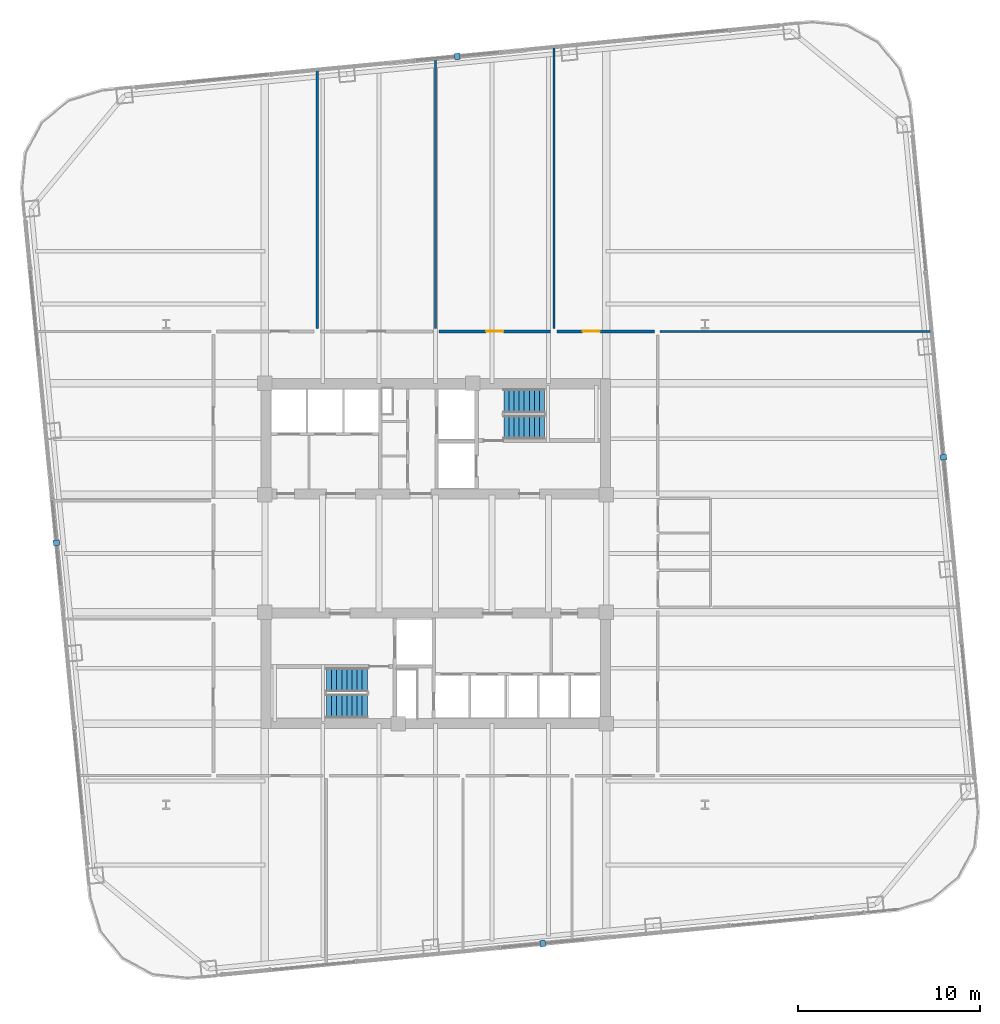
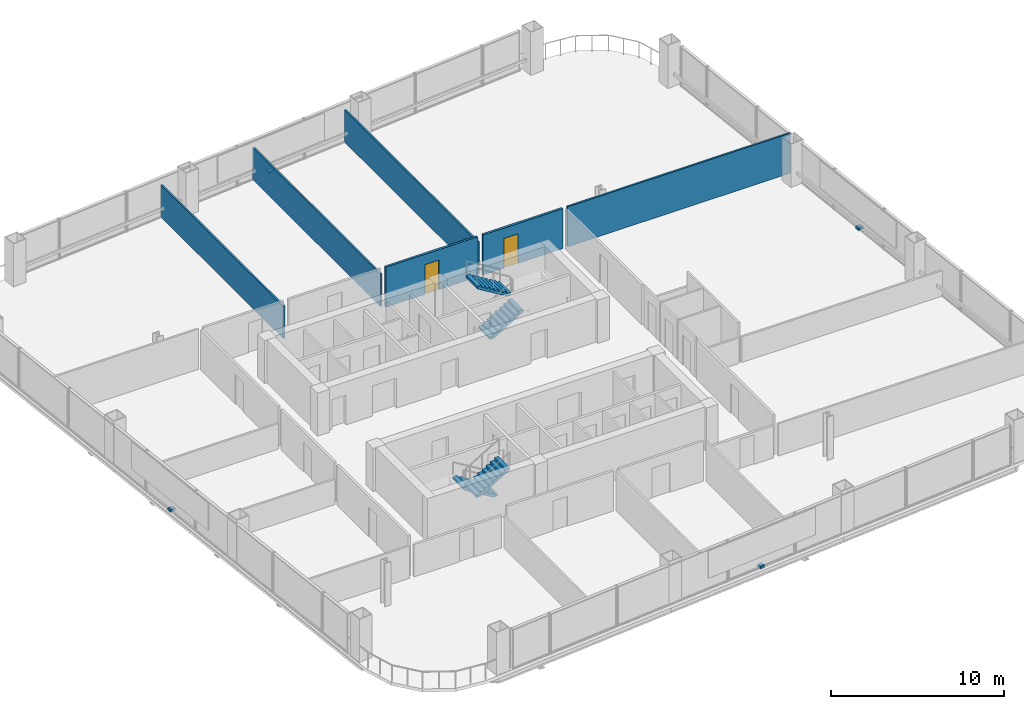
# One storey, part 29 of 32: 6 walls, 4 discrete accessories, 4 stair flights, 2 doors, 2 openings, 2 elements without a shape of their own.
"""IFC4 building model written with IfcOpenShell, lengths in metres."""

from ifc_helpers import new_model, si_unit, direction, frame, frame_2d, origin, origin_2d, place, context, subcontext, project, spatial, polyline, rectangle, outline, extrude, material, layer, layer_set, type_object, element, fill, aggregate, save


model = new_model("IFC4")

# Units and contexts
model_context = context("Model", 3, precision=1e-05, world=origin(), true_north=direction((0.0, 1.0)))
body_context = subcontext(model_context, "Body", "Model", "MODEL_VIEW")
ifc_project = project(units=[si_unit("LENGTHUNIT", "METRE"), si_unit("AREAUNIT", "SQUARE_METRE"), si_unit("VOLUMEUNIT", "CUBIC_METRE"), si_unit("PLANEANGLEUNIT", "RADIAN"), si_unit("MASSUNIT", "GRAM", prefix="KILO")], contexts=[model_context])

# Site, building, storey
site_placement = place(None, origin())
site = spatial("IfcSite", under=ifc_project, at=site_placement, CompositionType="ELEMENT")
building_placement = place(site_placement, origin())
building = spatial("IfcBuilding", under=site, at=building_placement, Name="Qhalaya Broadcast Tower", CompositionType="ELEMENT")
storey_placement = place(building_placement, frame((0.0, 0.0, 87.75)))
storey = spatial("IfcBuildingStorey", under=building, at=storey_placement, Name="L25", CompositionType="ELEMENT", Elevation=87.75)

# Wall, opening, door
ifc_material_1 = material(Name="Gypsum Acoustic Partition")
ifc_layer_1 = layer(ifc_material_1, 0.14990234375, Name="Gypsum Acoustic Partition")
ifc_layer_set_1 = layer_set([ifc_layer_1], Name="Gypsum Acoustic Partition")
wall_type_1 = type_object("IfcWallType", Name="Corridor & Tenancy Acoustic Partition 150", PredefinedType="PARTITIONING", material=ifc_layer_set_1)
wall_1_placement = place(storey_placement, frame((0.179931640625, 12.800048828125, 0.0), z_axis=(0.0, 0.0, 1.0), x_axis=(1.0, 0.0, 0.0)))
wall_1 = element("IfcWall", 1, at=wall_1_placement, inside=storey, type_object=wall_type_1, Name="L25 Partition Wall W-COR-03", PredefinedType="PARTITIONING", context=body_context, shape_type="SweptSolid", body=[
    extrude(rectangle(XDim=6.14013671875, YDim=0.14990234375, at=frame_2d((3.070068359375, 0.0))), origin(), (0.0, 0.0, 1.0), 2.830078125),
])
opening_1_placement = place(wall_1_placement, frame((2.594970703125, 0.0, 0.0)))
opening_1 = element("IfcOpeningElement", 2, at=opening_1_placement, cuts=wall_1, Name="Opening D10", PredefinedType="OPENING", context=body_context, shape_type="SweptSolid", body=[
    extrude(rectangle(XDim=0.949951171875, YDim=2.10009765625, at=frame_2d((0.47509765625, 1.050048828125))), frame((0.0, 0.0869140625, 0.0), z_axis=(0.0, -1.0, 0.0), x_axis=(1.0, 0.0, 0.0)), (0.0, 0.0, 1.0), 0.173828125),
])
ifc_material_2 = material(Name="Timber Veneer Acoustic Door", Category="wood")
door_type = type_object("IfcDoorType", Name="Cellular Office & Edit Booth Door D10", OperationType="NOTDEFINED", PredefinedType="DOOR", material=ifc_material_2)
door_1_placement = place(opening_1_placement, origin())
door_1 = element("IfcDoor", 3, at=door_1_placement, inside=storey, type_object=door_type, Name="L25 Door D-RM03", OperationType="SINGLE_SWING_LEFT", OverallHeight=2.10009765625, OverallWidth=0.949951171875, PredefinedType="DOOR", context=body_context, shape_type="SweptSolid", body=[
    extrude(rectangle(XDim=0.949951171875, YDim=2.10009765625, at=frame_2d((0.47509765625, 1.050048828125))), frame((0.0, 0.02490234375, 0.0), z_axis=(0.0, -1.0, 0.0), x_axis=(1.0, 0.0, 0.0)), (0.0, 0.0, 1.0), 0.050048828125),
])
fill(opening_1, door_1)

wall_2_placement = place(storey_placement, frame((6.679931640625, 12.800048828125, 0.0), z_axis=(0.0, 0.0, 1.0), x_axis=(1.0, 0.0, 0.0)))
wall_2 = element("IfcWall", 4, at=wall_2_placement, inside=storey, type_object=wall_type_1, Name="L25 Partition Wall W-COR-04", PredefinedType="PARTITIONING", context=body_context, shape_type="SweptSolid", body=[
    extrude(rectangle(XDim=5.340087890625, YDim=0.14990234375, at=frame_2d((2.669921875, 0.0))), origin(), (0.0, 0.0, 1.0), 2.830078125),
])
opening_2_placement = place(wall_2_placement, frame((1.39501953125, 0.0, 0.0)))
opening_2 = element("IfcOpeningElement", 5, at=opening_2_placement, cuts=wall_2, Name="Opening D10", PredefinedType="OPENING", context=body_context, shape_type="SweptSolid", body=[
    extrude(rectangle(XDim=0.949951171875, YDim=2.10009765625, at=frame_2d((0.47509765625, 1.050048828125))), frame((0.0, 0.0869140625, 0.0), z_axis=(0.0, -1.0, 0.0), x_axis=(1.0, 0.0, 0.0)), (0.0, 0.0, 1.0), 0.173828125),
])
door_2_placement = place(opening_2_placement, origin())
door_2 = element("IfcDoor", 6, at=door_2_placement, inside=storey, type_object=door_type, Name="L25 Door D-RM04", OperationType="SINGLE_SWING_RIGHT", OverallHeight=2.10009765625, OverallWidth=0.949951171875, PredefinedType="DOOR", context=body_context, shape_type="SweptSolid", body=[
    extrude(rectangle(XDim=0.949951171875, YDim=2.10009765625, at=frame_2d((0.47509765625, 1.050048828125))), frame((0.0, 0.02490234375, 0.0), z_axis=(0.0, -1.0, 0.0), x_axis=(1.0, 0.0, 0.0)), (0.0, 0.0, 1.0), 0.050048828125),
])
fill(opening_2, door_2)

# Walls
ifc_layer_2 = layer(ifc_material_1, 0.1201171875, Name="Gypsum Acoustic Partition")
ifc_layer_set_2 = layer_set([ifc_layer_2], Name="Gypsum Acoustic Partition")
wall_type_2 = type_object("IfcWallType", Name="Office, Booth & Sanitary Partition 120", PredefinedType="PARTITIONING", material=ifc_layer_set_2)
wall_3_placement = place(storey_placement, frame((12.340087890625, 12.800048828125, 0.0), z_axis=(0.0, 0.0, 1.0), x_axis=(1.0, 0.0, 0.0)))
element("IfcWall", 7, at=wall_3_placement, inside=storey, type_object=wall_type_2, Name="L25 Partition Wall W-BNDE1", PredefinedType="PARTITIONING", context=body_context, shape_type="SweptSolid", body=[
    extrude(rectangle(XDim=14.901611328125, YDim=0.1201171875, at=frame_2d((7.45068359375, 0.0))), origin(), (0.0, 0.0, 1.0), 2.830078125),
])
wall_4_placement = place(storey_placement, frame((-6.5, 12.9599609375, 0.0), z_axis=(0.0, 0.0, 1.0), x_axis=(0.0, 1.0, 0.0)))
element("IfcWall", 8, at=wall_4_placement, inside=storey, type_object=wall_type_2, Name="L25 Partition Wall W-DIVN1", PredefinedType="PARTITIONING", context=body_context, shape_type="SweptSolid", body=[
    extrude(rectangle(XDim=14.20654296875, YDim=0.1201171875, at=frame_2d((7.103271484375, 0.0))), origin(), (0.0, 0.0, 1.0), 2.27392578125),
])
wall_5_placement = place(storey_placement, frame((0.0, 12.9599609375, 0.0), z_axis=(0.0, 0.0, 1.0), x_axis=(0.0, 1.0, 0.0)))
element("IfcWall", 9, at=wall_5_placement, inside=storey, type_object=wall_type_2, Name="L25 Partition Wall W-DIVN2", PredefinedType="PARTITIONING", context=body_context, shape_type="SweptSolid", body=[
    extrude(rectangle(XDim=14.83251953125, YDim=0.1201171875, at=frame_2d((7.416259765625, 0.0))), origin(), (0.0, 0.0, 1.0), 2.27392578125),
])
wall_6_placement = place(storey_placement, frame((6.5, 12.9599609375, 0.0), z_axis=(0.0, 0.0, 1.0), x_axis=(0.0, 1.0, 0.0)))
element("IfcWall", 10, at=wall_6_placement, inside=storey, type_object=wall_type_2, Name="L25 Partition Wall W-DIVN3", PredefinedType="PARTITIONING", context=body_context, shape_type="SweptSolid", body=[
    extrude(rectangle(XDim=15.458251953125, YDim=0.1201171875, at=frame_2d((7.72900390625, 0.0))), origin(), (0.0, 0.0, 1.0), 2.27392578125),
])

# Stair, stair flights
ifc_material_3 = material(Name="Concrete C40/50", Category="concrete")
stair_type = type_object("IfcStairType", Name="Protected Dogleg Core Stair 3150", PredefinedType="TWO_STRAIGHT_RUN_STAIR", material=ifc_material_3)
stair_1_placement = place(storey_placement, origin())
stair_1 = element("IfcStair", 11, at=stair_1_placement, inside=storey, type_object=stair_type, Name="L25 North Core Exit Stair ST-1", PredefinedType="TWO_STRAIGHT_RUN_STAIR")
ifc_material_4 = material(Name="Precast Concrete C40/50", Category="concrete")
stair_flight_type = type_object("IfcStairFlightType", Name="Precast Concrete Stair Flight 3150", PredefinedType="STRAIGHT", material=ifc_material_4)
stair_flight_1_placement = place(storey_placement, frame((3.75, 7.5400390625, 0.0), z_axis=(0.0, 0.0, 1.0), x_axis=(1.0, 0.0, 0.0)))
stair_flight_1 = element("IfcStairFlight", 12, at=stair_flight_1_placement, type_object=stair_flight_type, Name="ST-1 flight 1", NumberOfRisers=9, NumberOfTreads=8, PredefinedType="STRAIGHT", RiserHeight=0.169444444, TreadLength=0.28, context=body_context, shape_type="SweptSolid", body=[
    extrude(outline(polyline([(0.0, 0.0), (0.0, 0.16943359375), (0.280029296875, 0.16943359375), (0.280029296875, 0.3388671875), (0.56005859375, 0.3388671875), (0.56005859375, 0.50830078125), (0.840087890625, 0.50830078125), (0.840087890625, 0.677734375), (1.1201171875, 0.677734375), (1.1201171875, 0.84716796875), (1.39990234375, 0.84716796875), (1.39990234375, 1.0166015625), (1.679931640625, 1.0166015625), (1.679931640625, 1.18603515625), (1.9599609375, 1.18603515625), (1.9599609375, 1.35546875), (2.239990234375, 1.35546875), (2.239990234375, 1.52490234375), (2.239990234375, 1.180419921875), (0.28955078125, 0.0), (0.0, 0.0)])), frame((0.0, 0.66015625, 0.0), z_axis=(0.0, -1.0, 0.0), x_axis=(1.0, 0.0, 0.0)), (0.0, 0.0, 1.0), 1.320068359375),
])
stair_flight_2_placement = place(storey_placement, frame((5.989990234375, 8.97998046875, 1.52490234375), z_axis=(0.0, 0.0, 1.0), x_axis=(-1.0, 0.0, 0.0)))
stair_flight_2 = element("IfcStairFlight", 13, at=stair_flight_2_placement, type_object=stair_flight_type, Name="ST-1 flight 2", NumberOfRisers=9, NumberOfTreads=8, PredefinedType="STRAIGHT", RiserHeight=0.169444444, TreadLength=0.28, context=body_context, shape_type="SweptSolid", body=[
    extrude(outline(polyline([(0.0, 0.0), (0.0, 0.16943359375), (0.280029296875, 0.16943359375), (0.280029296875, 0.3388671875), (0.56005859375, 0.3388671875), (0.56005859375, 0.50830078125), (0.840087890625, 0.50830078125), (0.840087890625, 0.677734375), (1.1201171875, 0.677734375), (1.1201171875, 0.84716796875), (1.39990234375, 0.84716796875), (1.39990234375, 1.0166015625), (1.679931640625, 1.0166015625), (1.679931640625, 1.18603515625), (1.9599609375, 1.18603515625), (1.9599609375, 1.35546875), (2.239990234375, 1.35546875), (2.239990234375, 1.52490234375), (2.239990234375, 1.180419921875), (0.28955078125, 0.0), (0.0, 0.0)])), frame((0.0, 0.66015625, 0.0), z_axis=(0.0, -1.0, 0.0), x_axis=(1.0, 0.0, 0.0)), (0.0, 0.0, 1.0), 1.320068359375),
])
aggregate(stair_1, [stair_flight_1, stair_flight_2])

stair_2_placement = place(storey_placement, origin())
stair_2 = element("IfcStair", 14, at=stair_2_placement, inside=storey, type_object=stair_type, Name="L25 South Core Exit Stair ST-2", PredefinedType="TWO_STRAIGHT_RUN_STAIR")
stair_flight_3_placement = place(storey_placement, frame((-3.75, -6.340087890625, 0.0), z_axis=(0.0, 0.0, 1.0), x_axis=(-1.0, 0.0, 0.0)))
stair_flight_3 = element("IfcStairFlight", 15, at=stair_flight_3_placement, type_object=stair_flight_type, Name="ST-2 flight 1", NumberOfRisers=9, NumberOfTreads=8, PredefinedType="STRAIGHT", RiserHeight=0.169444444, TreadLength=0.28, context=body_context, shape_type="SweptSolid", body=[
    extrude(outline(polyline([(0.0, 0.0), (0.0, 0.16943359375), (0.280029296875, 0.16943359375), (0.280029296875, 0.3388671875), (0.56005859375, 0.3388671875), (0.56005859375, 0.50830078125), (0.840087890625, 0.50830078125), (0.840087890625, 0.677734375), (1.1201171875, 0.677734375), (1.1201171875, 0.84716796875), (1.39990234375, 0.84716796875), (1.39990234375, 1.0166015625), (1.679931640625, 1.0166015625), (1.679931640625, 1.18603515625), (1.9599609375, 1.18603515625), (1.9599609375, 1.35546875), (2.239990234375, 1.35546875), (2.239990234375, 1.52490234375), (2.239990234375, 1.180419921875), (0.28955078125, 0.0), (0.0, 0.0)])), frame((0.0, 0.66015625, 0.0), z_axis=(0.0, -1.0, 0.0), x_axis=(1.0, 0.0, 0.0)), (0.0, 0.0, 1.0), 1.320068359375),
])
stair_flight_4_placement = place(storey_placement, frame((-5.989990234375, -7.780029296875, 1.52490234375), z_axis=(0.0, 0.0, 1.0), x_axis=(1.0, 0.0, 0.0)))
stair_flight_4 = element("IfcStairFlight", 16, at=stair_flight_4_placement, type_object=stair_flight_type, Name="ST-2 flight 2", NumberOfRisers=9, NumberOfTreads=8, PredefinedType="STRAIGHT", RiserHeight=0.169444444, TreadLength=0.28, context=body_context, shape_type="SweptSolid", body=[
    extrude(outline(polyline([(0.0, 0.0), (0.0, 0.16943359375), (0.280029296875, 0.16943359375), (0.280029296875, 0.3388671875), (0.56005859375, 0.3388671875), (0.56005859375, 0.50830078125), (0.840087890625, 0.50830078125), (0.840087890625, 0.677734375), (1.1201171875, 0.677734375), (1.1201171875, 0.84716796875), (1.39990234375, 0.84716796875), (1.39990234375, 1.0166015625), (1.679931640625, 1.0166015625), (1.679931640625, 1.18603515625), (1.9599609375, 1.18603515625), (1.9599609375, 1.35546875), (2.239990234375, 1.35546875), (2.239990234375, 1.52490234375), (2.239990234375, 1.180419921875), (0.28955078125, 0.0), (0.0, 0.0)])), frame((0.0, 0.66015625, 0.0), z_axis=(0.0, -1.0, 0.0), x_axis=(1.0, 0.0, 0.0)), (0.0, 0.0, 1.0), 1.320068359375),
])
aggregate(stair_2, [stair_flight_3, stair_flight_4])

# Discrete accessories
ifc_material_5 = material(Name="Structural Steel ASTM A572 Grade 50", Category="steel")
discrete_accessory_type = type_object("IfcDiscreteAccessoryType", Name="Facade Baguette Support Bracket BRK-01", PredefinedType="BRACKET", material=ifc_material_5)
for number, where, z_axis, x_axis, name in (
    (17, (5.88623046875, -20.827392578125, 0.0), (0.0, 0.0, 1.0), (0.995396198367, 0.09584575252, 0.0), "L25 Baguette Support Bracket S"),
    (18, (27.9072265625, 5.88623046875, 0.0), (0.0, 0.0, 1.0), (-0.09584575252, 0.995396198367, 0.0), "L25 Baguette Support Bracket E"),
    (19, (1.193603515625, 27.9072265625, 0.0), (0.0, 0.0, 1.0), (-0.995396198367, -0.09584575252, 0.0), "L25 Baguette Support Bracket N"),
    (20, (-20.827392578125, 1.193603515625, 0.0), (0.0, 0.0, 1.0), (0.09584575252, -0.995396198367, 0.0), "L25 Baguette Support Bracket W"),
):
    element("IfcDiscreteAccessory", number, at=place(storey_placement, frame(where, z_axis=z_axis, x_axis=x_axis)), inside=storey, type_object=discrete_accessory_type, Name=name, PredefinedType="BRACKET", context=body_context, shape_type="SweptSolid", body=[
        extrude(rectangle(XDim=0.300048828125, YDim=0.340087890625, at=origin_2d()), origin(), (0.0, 0.0, 1.0), 0.159912109375),
    ])

save(model, "model.ifc")
